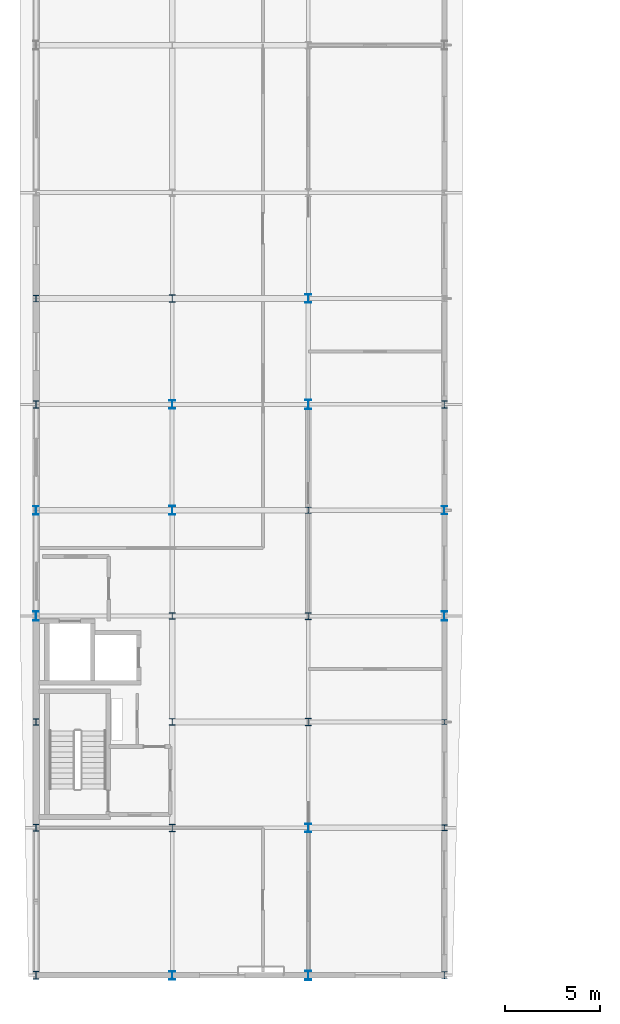
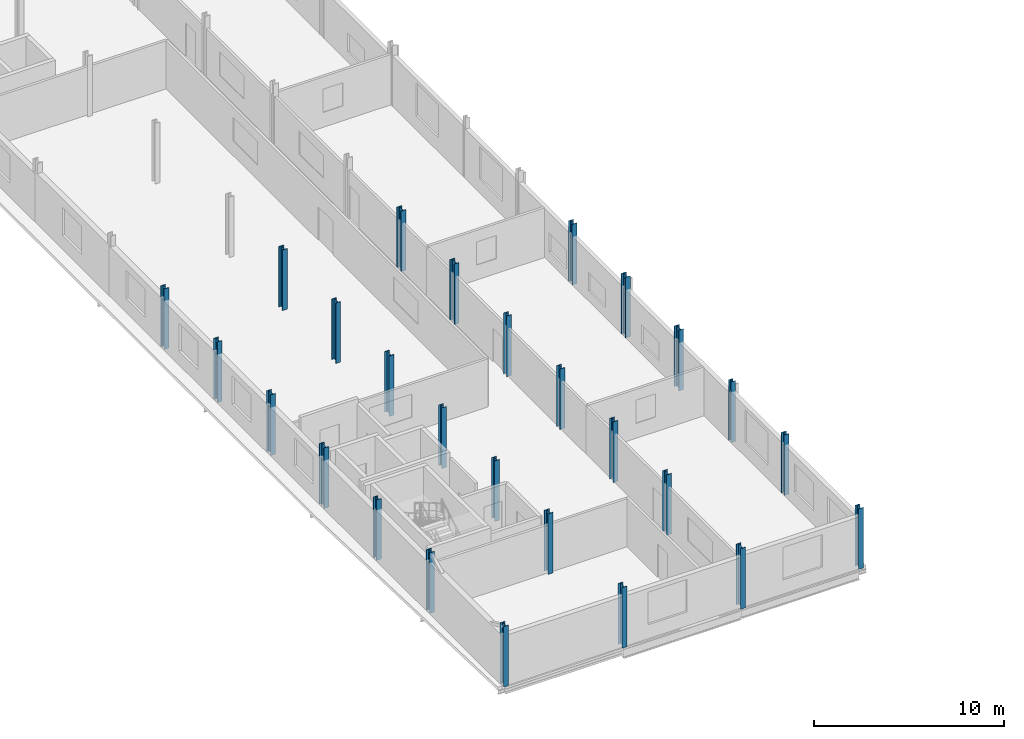
# One storey, part 1 of 30: 27 columns.
"""IFC4 building model written with IfcOpenShell, lengths in metres."""

from ifc_helpers import new_model, si_unit, direction, frame, origin, origin_2d, place, context, subcontext, project, spatial, i_section, extrude, material, material_profile, profile_set, type_object, element, save


model = new_model("IFC4")

# Units and contexts
model_context = context("Model", 3, precision=1e-05, world=origin(), true_north=direction((0.0, 1.0)))
body_context = subcontext(model_context, "Body", "Model", "MODEL_VIEW")
ifc_project = project(units=[si_unit("LENGTHUNIT", "METRE"), si_unit("AREAUNIT", "SQUARE_METRE"), si_unit("VOLUMEUNIT", "CUBIC_METRE"), si_unit("PLANEANGLEUNIT", "RADIAN"), si_unit("MASSUNIT", "GRAM", prefix="KILO")], contexts=[model_context])

# Site, building, storey
site_placement = place(None, origin())
site = spatial("IfcSite", under=ifc_project, at=site_placement, CompositionType="ELEMENT")
building_placement = place(site_placement, origin())
building = spatial("IfcBuilding", under=site, at=building_placement, Name="Vinh Khe Railworks Police Headquarters", CompositionType="ELEMENT")
storey_placement = place(building_placement, frame((0.0, 0.0, 21.0)))
storey = spatial("IfcBuildingStorey", under=building, at=storey_placement, Name="L05", CompositionType="ELEMENT", Elevation=21.0)

# Columns
ifc_material = material(Name="Steel S355JR", Category="steel")
ifc_material_profile_1 = material_profile(ifc_material, i_section(OverallWidth=0.300048828125, OverallDepth=0.389892578125, WebThickness=0.010986328125, FlangeThickness=0.01904296875, FilletRadius=0.027099609375, at=origin_2d()), Name="HEA 400")
ifc_profile_set_1 = profile_set([ifc_material_profile_1], Name="Steel S355JR")
column_type_1 = type_object("IfcColumnType", Name="Steel Column HEA 400", PredefinedType="COLUMN", material=ifc_profile_set_1)
for number, where, z_axis, x_axis, name in (
    (1, (22.199951171875, 17.39990234375, 0.0), (0.0, 0.0, 1.0), (1.0, 0.0, 0.0), "Column COL-L05-SC-15-0514"),
    (2, (22.199951171875, 47.60009765625, 0.0), (0.0, 0.0, 1.0), (1.0, 0.0, 0.0), "Column COL-L05-SC-15-0559"),
):
    element("IfcColumn", number, at=place(storey_placement, frame(where, z_axis=z_axis, x_axis=x_axis)), inside=storey, type_object=column_type_1, Name=name, PredefinedType="COLUMN", context=body_context, shape_type="SweptSolid", body=[
        extrude(i_section(OverallWidth=0.300048828125, OverallDepth=0.389892578125, WebThickness=0.010986328125, FlangeThickness=0.01904296875, FilletRadius=0.027099609375, at=origin_2d()), origin(), (0.0, 0.0, 1.0), 3.89990234375),
    ])
ifc_material_profile_2 = material_profile(ifc_material, i_section(OverallWidth=0.300048828125, OverallDepth=0.43994140625, WebThickness=0.011474609375, FlangeThickness=0.02099609375, FilletRadius=0.027099609375, at=origin_2d()), Name="HEA 450")
ifc_profile_set_2 = profile_set([ifc_material_profile_2], Name="Steel S355JR")
column_type_2 = type_object("IfcColumnType", Name="Steel Column HEA 450", PredefinedType="COLUMN", material=ifc_profile_set_2)
column_1_placement = place(storey_placement, frame((22.199951171875, 42.0, 0.0), z_axis=(0.0, 0.0, 1.0), x_axis=(1.0, 0.0, 0.0)))
element("IfcColumn", 3, at=column_1_placement, inside=storey, type_object=column_type_2, Name="Column COL-L05-SC-14-0550", PredefinedType="COLUMN", context=body_context, shape_type="SweptSolid", body=[
    extrude(i_section(OverallWidth=0.300048828125, OverallDepth=0.43994140625, WebThickness=0.011474609375, FlangeThickness=0.02099609375, FilletRadius=0.027099609375, at=origin_2d()), origin(), (0.0, 0.0, 1.0), 3.89990234375),
])
ifc_material_profile_3 = material_profile(ifc_material, i_section(OverallWidth=0.300048828125, OverallDepth=0.489990234375, WebThickness=0.011962890625, FlangeThickness=0.02294921875, FilletRadius=0.027099609375, at=origin_2d()), Name="HEA 500")
ifc_profile_set_3 = profile_set([ifc_material_profile_3], Name="Steel S355JR")
column_type_3 = type_object("IfcColumnType", Name="Steel Column HEA 500", PredefinedType="COLUMN", material=ifc_profile_set_3)
column_2_placement = place(storey_placement, frame((22.199951171875, 36.39990234375, 0.0), z_axis=(0.0, 0.0, 1.0), x_axis=(1.0, 0.0, 0.0)))
element("IfcColumn", 4, at=column_2_placement, inside=storey, type_object=column_type_3, Name="Column COL-L05-SC-13-0541", PredefinedType="COLUMN", context=body_context, shape_type="SweptSolid", body=[
    extrude(i_section(OverallWidth=0.300048828125, OverallDepth=0.489990234375, WebThickness=0.011962890625, FlangeThickness=0.02294921875, FilletRadius=0.027099609375, at=origin_2d()), origin(), (0.0, 0.0, 1.0), 3.89990234375),
])
ifc_material_profile_4 = material_profile(ifc_material, i_section(OverallWidth=0.260009765625, OverallDepth=0.260009765625, WebThickness=0.010009765625, FlangeThickness=0.017578125, FilletRadius=0.02392578125, at=origin_2d()), Name="HEB 260")
ifc_profile_set_4 = profile_set([ifc_material_profile_4], Name="Steel S355JR")
column_type_4 = type_object("IfcColumnType", Name="Steel Column HEB 260", PredefinedType="COLUMN", material=ifc_profile_set_4)
column_3_placement = place(storey_placement, frame((22.199951171875, 30.800048828125, 0.0), z_axis=(0.0, 0.0, 1.0), x_axis=(1.0, 0.0, 0.0)))
element("IfcColumn", 5, at=column_3_placement, inside=storey, type_object=column_type_4, Name="Column COL-L05-SC-12-0532", PredefinedType="COLUMN", context=body_context, shape_type="SweptSolid", body=[
    extrude(i_section(OverallWidth=0.260009765625, OverallDepth=0.260009765625, WebThickness=0.010009765625, FlangeThickness=0.017578125, FilletRadius=0.02392578125, at=origin_2d()), origin(), (0.0, 0.0, 1.0), 3.89990234375),
])
ifc_material_profile_5 = material_profile(ifc_material, i_section(OverallWidth=0.300048828125, OverallDepth=0.300048828125, WebThickness=0.010986328125, FlangeThickness=0.01904296875, FilletRadius=0.027099609375, at=origin_2d()), Name="HEB 300")
ifc_profile_set_5 = profile_set([ifc_material_profile_5], Name="Steel S355JR")
column_type_5 = type_object("IfcColumnType", Name="Steel Column HEB 300", PredefinedType="COLUMN", material=ifc_profile_set_5)
column_4_placement = place(storey_placement, frame((22.199951171875, 25.199951171875, 0.0), z_axis=(0.0, 0.0, 1.0), x_axis=(1.0, 0.0, 0.0)))
element("IfcColumn", 6, at=column_4_placement, inside=storey, type_object=column_type_5, Name="Column COL-L05-SC-11-0523", PredefinedType="COLUMN", context=body_context, shape_type="SweptSolid", body=[
    extrude(i_section(OverallWidth=0.300048828125, OverallDepth=0.300048828125, WebThickness=0.010986328125, FlangeThickness=0.01904296875, FilletRadius=0.027099609375, at=origin_2d()), origin(), (0.0, 0.0, 1.0), 3.89990234375),
])
ifc_material_profile_6 = material_profile(ifc_material, i_section(OverallWidth=0.300048828125, OverallDepth=0.340087890625, WebThickness=0.011962890625, FlangeThickness=0.021484375, FilletRadius=0.027099609375, at=origin_2d()), Name="HEB 340")
ifc_profile_set_6 = profile_set([ifc_material_profile_6], Name="Steel S355JR")
column_type_6 = type_object("IfcColumnType", Name="Steel Column HEB 340", PredefinedType="COLUMN", material=ifc_profile_set_6)
for number, where, z_axis, x_axis, name in (
    (7, (0.60009765625, 30.800048828125, 0.0), (0.0, 0.0, 1.0), (1.0, 0.0, 0.0), "Column COL-L05-SC-10-0033"),
    (8, (7.800048828125, 36.39990234375, 0.0), (0.0, 0.0, 1.0), (1.0, 0.0, 0.0), "Column COL-L05-SC-10-0210"),
    (9, (15.0, 42.0, 0.0), (0.0, 0.0, 1.0), (1.0, 0.0, 0.0), "Column COL-L05-SC-10-0387"),
):
    element("IfcColumn", number, at=place(storey_placement, frame(where, z_axis=z_axis, x_axis=x_axis)), inside=storey, type_object=column_type_6, Name=name, PredefinedType="COLUMN", context=body_context, shape_type="SweptSolid", body=[
        extrude(i_section(OverallWidth=0.300048828125, OverallDepth=0.340087890625, WebThickness=0.011962890625, FlangeThickness=0.021484375, FilletRadius=0.027099609375, at=origin_2d()), origin(), (0.0, 0.0, 1.0), 3.89990234375),
    ])
ifc_material_profile_7 = material_profile(ifc_material, i_section(OverallWidth=0.300048828125, OverallDepth=0.360107421875, WebThickness=0.012451171875, FlangeThickness=0.0224609375, FilletRadius=0.027099609375, at=origin_2d()), Name="HEB 360")
ifc_profile_set_7 = profile_set([ifc_material_profile_7], Name="Steel S355JR")
column_type_7 = type_object("IfcColumnType", Name="Steel Column HEB 360", PredefinedType="COLUMN", material=ifc_profile_set_7)
for number, where, z_axis, x_axis, name in (
    (10, (0.60009765625, 25.199951171875, 0.0), (0.0, 0.0, 1.0), (1.0, 0.0, 0.0), "Column COL-L05-SC-09-0023"),
    (11, (0.60009765625, 53.199951171875, 0.0), (0.0, 0.0, 1.0), (1.0, 0.0, 0.0), "Column COL-L05-SC-09-0073"),
    (12, (7.800048828125, 30.800048828125, 0.0), (0.0, 0.0, 1.0), (1.0, 0.0, 0.0), "Column COL-L05-SC-09-0200"),
    (13, (15.0, 36.39990234375, 0.0), (0.0, 0.0, 1.0), (1.0, 0.0, 0.0), "Column COL-L05-SC-09-0377"),
):
    element("IfcColumn", number, at=place(storey_placement, frame(where, z_axis=z_axis, x_axis=x_axis)), inside=storey, type_object=column_type_7, Name=name, PredefinedType="COLUMN", context=body_context, shape_type="SweptSolid", body=[
        extrude(i_section(OverallWidth=0.300048828125, OverallDepth=0.360107421875, WebThickness=0.012451171875, FlangeThickness=0.0224609375, FilletRadius=0.027099609375, at=origin_2d()), origin(), (0.0, 0.0, 1.0), 3.89990234375),
    ])
ifc_material_profile_8 = material_profile(ifc_material, i_section(OverallWidth=0.300048828125, OverallDepth=0.39990234375, WebThickness=0.013427734375, FlangeThickness=0.02392578125, FilletRadius=0.027099609375, at=origin_2d()), Name="HEB 400")
ifc_profile_set_8 = profile_set([ifc_material_profile_8], Name="Steel S355JR")
column_type_8 = type_object("IfcColumnType", Name="Steel Column HEB 400", PredefinedType="COLUMN", material=ifc_profile_set_8)
for number, where, z_axis, x_axis, name in (
    (14, (0.60009765625, 17.39990234375, 0.0), (0.0, 0.0, 1.0), (1.0, 0.0, 0.0), "Column COL-L05-SC-08-0013"),
    (15, (0.60009765625, 47.60009765625, 0.0), (0.0, 0.0, 1.0), (1.0, 0.0, 0.0), "Column COL-L05-SC-08-0063"),
    (16, (7.800048828125, 25.199951171875, 0.0), (0.0, 0.0, 1.0), (1.0, 0.0, 0.0), "Column COL-L05-SC-08-0190"),
    (17, (7.800048828125, 53.199951171875, 0.0), (0.0, 0.0, 1.0), (1.0, 0.0, 0.0), "Column COL-L05-SC-08-0240"),
    (18, (15.0, 30.800048828125, 0.0), (0.0, 0.0, 1.0), (1.0, 0.0, 0.0), "Column COL-L05-SC-08-0367"),
):
    element("IfcColumn", number, at=place(storey_placement, frame(where, z_axis=z_axis, x_axis=x_axis)), inside=storey, type_object=column_type_8, Name=name, PredefinedType="COLUMN", context=body_context, shape_type="SweptSolid", body=[
        extrude(i_section(OverallWidth=0.300048828125, OverallDepth=0.39990234375, WebThickness=0.013427734375, FlangeThickness=0.02392578125, FilletRadius=0.027099609375, at=origin_2d()), origin(), (0.0, 0.0, 1.0), 3.89990234375),
    ])
ifc_material_profile_9 = material_profile(ifc_material, i_section(OverallWidth=0.300048828125, OverallDepth=0.449951171875, WebThickness=0.013916015625, FlangeThickness=0.02587890625, FilletRadius=0.027099609375, at=origin_2d()), Name="HEB 450")
ifc_profile_set_9 = profile_set([ifc_material_profile_9], Name="Steel S355JR")
column_type_9 = type_object("IfcColumnType", Name="Steel Column HEB 450", PredefinedType="COLUMN", material=ifc_profile_set_9)
for number, where, z_axis, x_axis, name in (
    (19, (0.60009765625, 42.0, 0.0), (0.0, 0.0, 1.0), (1.0, 0.0, 0.0), "Column COL-L05-SC-07-0053"),
    (20, (7.800048828125, 17.39990234375, 0.0), (0.0, 0.0, 1.0), (1.0, 0.0, 0.0), "Column COL-L05-SC-07-0180"),
    (21, (7.800048828125, 47.60009765625, 0.0), (0.0, 0.0, 1.0), (1.0, 0.0, 0.0), "Column COL-L05-SC-07-0230"),
    (22, (15.0, 25.199951171875, 0.0), (0.0, 0.0, 1.0), (1.0, 0.0, 0.0), "Column COL-L05-SC-07-0357"),
    (23, (15.0, 53.199951171875, 0.0), (0.0, 0.0, 1.0), (1.0, 0.0, 0.0), "Column COL-L05-SC-07-0407"),
):
    element("IfcColumn", number, at=place(storey_placement, frame(where, z_axis=z_axis, x_axis=x_axis)), inside=storey, type_object=column_type_9, Name=name, PredefinedType="COLUMN", context=body_context, shape_type="SweptSolid", body=[
        extrude(i_section(OverallWidth=0.300048828125, OverallDepth=0.449951171875, WebThickness=0.013916015625, FlangeThickness=0.02587890625, FilletRadius=0.027099609375, at=origin_2d()), origin(), (0.0, 0.0, 1.0), 3.89990234375),
    ])
ifc_material_profile_10 = material_profile(ifc_material, i_section(OverallWidth=0.300048828125, OverallDepth=0.5, WebThickness=0.014404296875, FlangeThickness=0.028076171875, FilletRadius=0.027099609375, at=origin_2d()), Name="HEB 500")
ifc_profile_set_10 = profile_set([ifc_material_profile_10], Name="Steel S355JR")
column_type_10 = type_object("IfcColumnType", Name="Steel Column HEB 500", PredefinedType="COLUMN", material=ifc_profile_set_10)
for number, where, z_axis, x_axis, name in (
    (24, (0.60009765625, 36.39990234375, 0.0), (0.0, 0.0, 1.0), (1.0, 0.0, 0.0), "Column COL-L05-SC-06-0043"),
    (25, (7.800048828125, 42.0, 0.0), (0.0, 0.0, 1.0), (1.0, 0.0, 0.0), "Column COL-L05-SC-06-0220"),
    (26, (15.0, 17.39990234375, 0.0), (0.0, 0.0, 1.0), (1.0, 0.0, 0.0), "Column COL-L05-SC-06-0347"),
    (27, (15.0, 47.60009765625, 0.0), (0.0, 0.0, 1.0), (1.0, 0.0, 0.0), "Column COL-L05-SC-06-0397"),
):
    element("IfcColumn", number, at=place(storey_placement, frame(where, z_axis=z_axis, x_axis=x_axis)), inside=storey, type_object=column_type_10, Name=name, PredefinedType="COLUMN", context=body_context, shape_type="SweptSolid", body=[
        extrude(i_section(OverallWidth=0.300048828125, OverallDepth=0.5, WebThickness=0.014404296875, FlangeThickness=0.028076171875, FilletRadius=0.027099609375, at=origin_2d()), origin(), (0.0, 0.0, 1.0), 3.89990234375),
    ])

save(model, "model.ifc")
